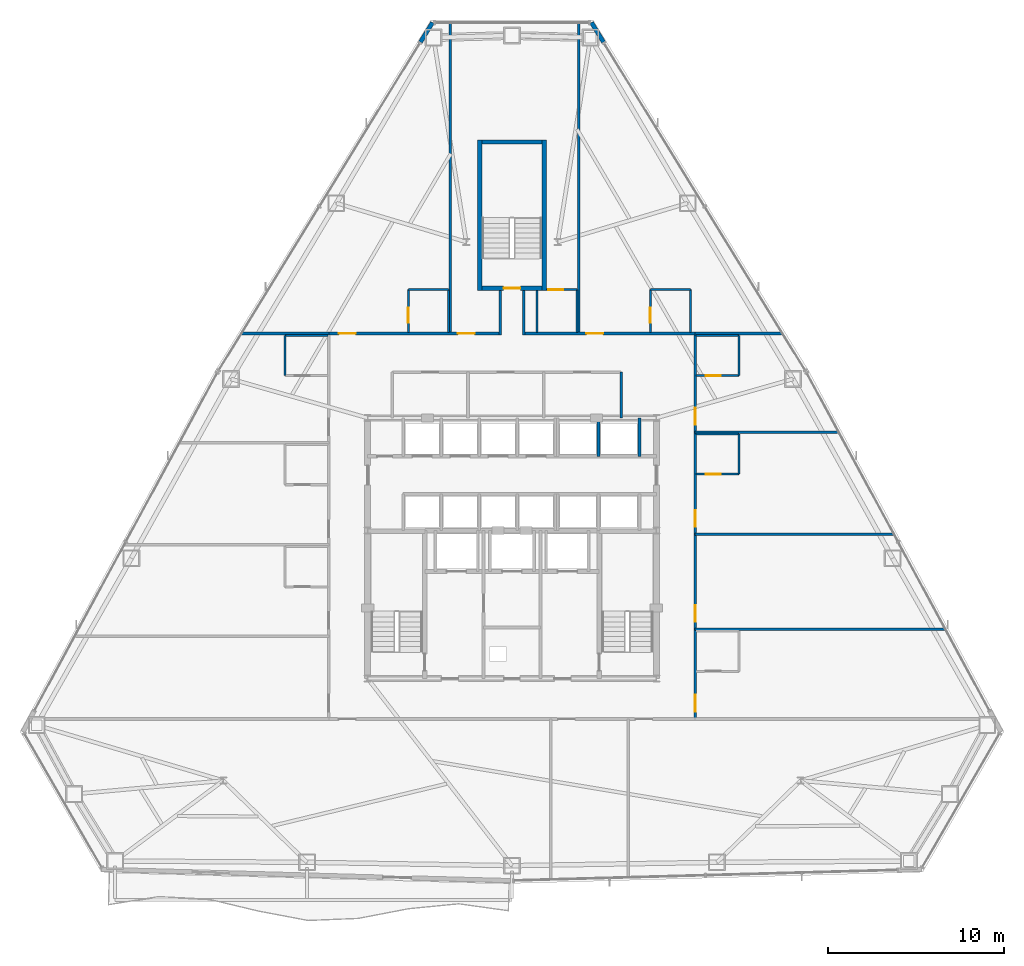
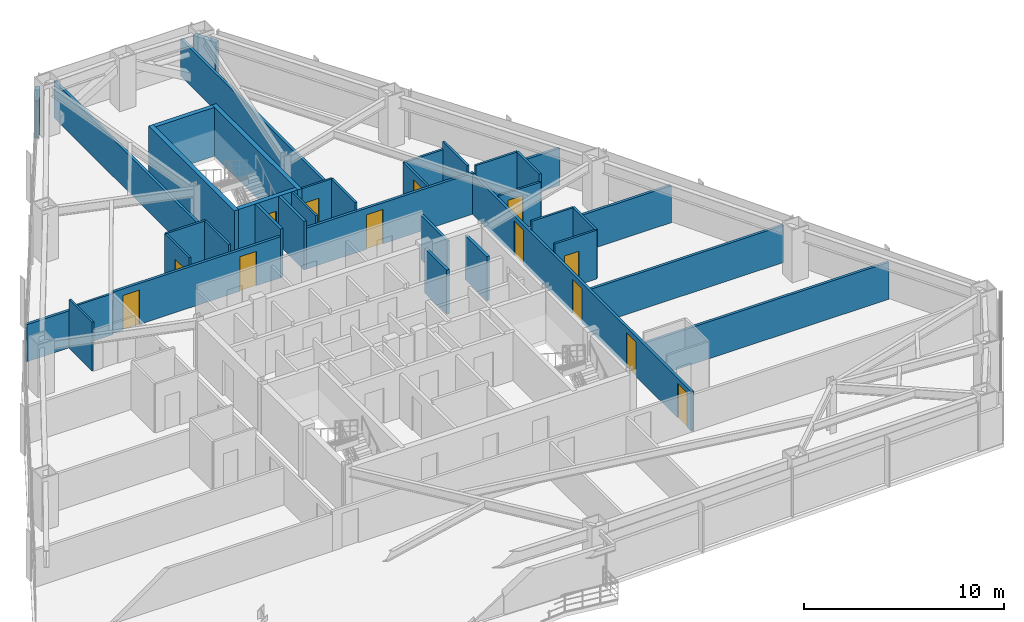
# One storey, part 11 of 14: 38 walls, 13 doors, 13 openings.
"""IFC4 building model written with IfcOpenShell, lengths in metres."""

from ifc_helpers import new_model, si_unit, direction, frame, frame_2d, origin, place, context, subcontext, project, spatial, rectangle, extrude, material, layer, layer_set, type_object, element, fill, save


model = new_model("IFC4")

# Units and contexts
model_context = context("Model", 3, precision=1e-05, world=origin(), true_north=direction((0.0, 1.0)))
body_context = subcontext(model_context, "Body", "Model", "MODEL_VIEW")
ifc_project = project(units=[si_unit("LENGTHUNIT", "METRE"), si_unit("AREAUNIT", "SQUARE_METRE"), si_unit("VOLUMEUNIT", "CUBIC_METRE"), si_unit("PLANEANGLEUNIT", "RADIAN"), si_unit("MASSUNIT", "GRAM", prefix="KILO")], contexts=[model_context])

# Site, building, storey
site_placement = place(None, origin())
site = spatial("IfcSite", under=ifc_project, at=site_placement, CompositionType="ELEMENT")
building_placement = place(site_placement, origin())
building = spatial("IfcBuilding", under=site, at=building_placement, Name="Varakhsha Concourse Tower", CompositionType="ELEMENT")
storey_placement = place(building_placement, frame((0.0, 0.0, 105.39990234375)))
storey = spatial("IfcBuildingStorey", under=building, at=storey_placement, Name="L30", CompositionType="ELEMENT", Elevation=105.39990234375)

# Walls
ifc_material_1 = material(Name="Concrete fc 45 MPa", Category="concrete")
ifc_layer_1 = layer(ifc_material_1, 0.239990234375, Name="WL-EXT-CRN-240")
ifc_layer_set_1 = layer_set([ifc_layer_1], Name="Concrete fc 45 MPa")
wall_type_1 = type_object("IfcWallType", Name="WL-EXT-CRN-240", PredefinedType="SHEAR", material=ifc_layer_set_1)
for number, where, z_axis, x_axis, name in (
    (1, (35.484375, 53.66259765625, 0.0), (0.0, 0.0, 1.0), (-0.523671203533, -0.851920460248, 0.0), "L30 Wind-Corner Shoulder Wall F2"),
    (2, (45.201904296875, 52.546142578125, 0.0), (0.0, 0.0, 1.0), (-0.523671203533, 0.851920460248, 0.0), "L30 Wind-Corner Shoulder Wall F9"),
):
    element("IfcWall", number, at=place(storey_placement, frame(where, z_axis=z_axis, x_axis=x_axis)), inside=storey, type_object=wall_type_1, Name=name, PredefinedType="SHEAR", context=body_context, shape_type="SweptSolid", body=[
        extrude(rectangle(XDim=1.310546875, YDim=0.239990234375, at=frame_2d((0.6552734375, 0.0))), origin(), (0.0, 0.0, 1.0), 2.253173828125),
    ])
ifc_material_2 = material(Name="Acoustic Gypsum Board Partition Assembly", Category="gypsum")
ifc_layer_2 = layer(ifc_material_2, 0.1201171875, Name="WL-PART-120")
ifc_layer_set_2 = layer_set([ifc_layer_2], Name="Acoustic Gypsum Board Partition Assembly")
wall_type_2 = type_object("IfcWallType", Name="WL-PART-120", PredefinedType="PARTITIONING", material=ifc_layer_set_2)
wall_1_placement = place(storey_placement, frame((27.110107421875, 33.610107421875, 0.0), z_axis=(0.0, 0.0, 1.0), x_axis=(0.0, 1.0, 0.0)))
element("IfcWall", 3, at=wall_1_placement, inside=storey, type_object=wall_type_2, Name="L30 Wall ENSW-W-L30-H07", PredefinedType="PARTITIONING", context=body_context, shape_type="SweptSolid", body=[
    extrude(rectangle(XDim=2.27978515625, YDim=0.1201171875, at=frame_2d((1.139892578125, 0.0))), origin(), (0.0, 0.0, 1.0), 2.97021484375),
])
wall_2_placement = place(storey_placement, frame((27.110107421875, 35.889892578125, 0.0), z_axis=(0.0, 0.0, 1.0), x_axis=(1.0, 0.0, 0.0)))
element("IfcWall", 4, at=wall_2_placement, inside=storey, type_object=wall_type_2, Name="L30 Wall ENSW-N-L30-H07", PredefinedType="PARTITIONING", context=body_context, shape_type="SweptSolid", body=[
    extrude(rectangle(XDim=2.429931640625, YDim=0.1201171875, at=frame_2d((1.21484375, 0.0))), origin(), (0.0, 0.0, 1.0), 2.503173828125),
])
wall_3_placement = place(storey_placement, frame((52.889892578125, 28.010009765625, 0.0), z_axis=(0.0, 0.0, 1.0), x_axis=(0.0, 1.0, 0.0)))
element("IfcWall", 5, at=wall_3_placement, inside=storey, type_object=wall_type_2, Name="L30 Wall ENSW-E-L30-H10", PredefinedType="PARTITIONING", context=body_context, shape_type="SweptSolid", body=[
    extrude(rectangle(XDim=2.280029296875, YDim=0.1201171875, at=frame_2d((1.14013671875, 0.0))), origin(), (0.0, 0.0, 1.0), 2.97021484375),
])

# Wall, opening, door
wall_4_placement = place(storey_placement, frame((50.4599609375, 28.010009765625, 0.0), z_axis=(0.0, 0.0, 1.0), x_axis=(1.0, 0.0, 0.0)))
wall_4 = element("IfcWall", 6, at=wall_4_placement, inside=storey, type_object=wall_type_2, Name="L30 Wall ENSW-S-L30-H10", PredefinedType="PARTITIONING", context=body_context, shape_type="SweptSolid", body=[
    extrude(rectangle(XDim=2.429931640625, YDim=0.1201171875, at=frame_2d((1.21484375, 0.0))), origin(), (0.0, 0.0, 1.0), 2.97021484375),
])
opening_1_placement = place(wall_4_placement, frame((0.550048828125, 0.0, 0.0)))
opening_1 = element("IfcOpeningElement", 7, at=opening_1_placement, cuts=wall_4, Name="Opening DI-01", PredefinedType="OPENING", context=body_context, shape_type="SweptSolid", body=[
    extrude(rectangle(XDim=0.85009765625, YDim=2.050048828125, at=frame_2d((0.425048828125, 1.02490234375))), frame((0.0, 0.070068359375, 0.0), z_axis=(0.0, -1.0, 0.0), x_axis=(1.0, 0.0, 0.0)), (0.0, 0.0, 1.0), 0.14013671875),
])
ifc_material_3 = material(Name="Architectural Walnut Acoustic Timber Door", Category="wood")
door_type_1 = type_object("IfcDoorType", Name="DR-INT-850", OperationType="NOTDEFINED", PredefinedType="DOOR", material=ifc_material_3)
door_1_placement = place(opening_1_placement, origin())
door_1 = element("IfcDoor", 8, at=door_1_placement, inside=storey, type_object=door_type_1, Name="L30 En-suite Bathroom Door L30-H10", OperationType="SINGLE_SWING_RIGHT", OverallHeight=2.050048828125, OverallWidth=0.85009765625, PredefinedType="DOOR", context=body_context, shape_type="SweptSolid", body=[
    extrude(rectangle(XDim=0.85009765625, YDim=2.050048828125, at=frame_2d((0.425048828125, 1.02490234375))), frame((0.0, 0.02490234375, 0.0), z_axis=(0.0, -1.0, 0.0), x_axis=(1.0, 0.0, 0.0)), (0.0, 0.0, 1.0), 0.050048828125),
])
fill(opening_1, door_1)

# Walls
wall_5_placement = place(storey_placement, frame((50.4599609375, 30.2900390625, 0.0), z_axis=(0.0, 0.0, 1.0), x_axis=(1.0, 0.0, 0.0)))
element("IfcWall", 9, at=wall_5_placement, inside=storey, type_object=wall_type_2, Name="L30 Wall ENSW-N-L30-H10", PredefinedType="PARTITIONING", context=body_context, shape_type="SweptSolid", body=[
    extrude(rectangle(XDim=2.429931640625, YDim=0.1201171875, at=frame_2d((1.21484375, 0.0))), origin(), (0.0, 0.0, 1.0), 2.97021484375),
])
wall_6_placement = place(storey_placement, frame((52.889892578125, 33.610107421875, 0.0), z_axis=(0.0, 0.0, 1.0), x_axis=(0.0, 1.0, 0.0)))
element("IfcWall", 10, at=wall_6_placement, inside=storey, type_object=wall_type_2, Name="L30 Wall ENSW-E-L30-H11", PredefinedType="PARTITIONING", context=body_context, shape_type="SweptSolid", body=[
    extrude(rectangle(XDim=2.27978515625, YDim=0.1201171875, at=frame_2d((1.139892578125, 0.0))), origin(), (0.0, 0.0, 1.0), 2.97021484375),
])

# Wall, opening, door
wall_7_placement = place(storey_placement, frame((50.4599609375, 33.610107421875, 0.0), z_axis=(0.0, 0.0, 1.0), x_axis=(1.0, 0.0, 0.0)))
wall_7 = element("IfcWall", 11, at=wall_7_placement, inside=storey, type_object=wall_type_2, Name="L30 Wall ENSW-S-L30-H11", PredefinedType="PARTITIONING", context=body_context, shape_type="SweptSolid", body=[
    extrude(rectangle(XDim=2.429931640625, YDim=0.1201171875, at=frame_2d((1.21484375, 0.0))), origin(), (0.0, 0.0, 1.0), 2.503173828125),
])
opening_2_placement = place(wall_7_placement, frame((0.550048828125, 0.0, 0.0)))
opening_2 = element("IfcOpeningElement", 12, at=opening_2_placement, cuts=wall_7, Name="Opening DI-01", PredefinedType="OPENING", context=body_context, shape_type="SweptSolid", body=[
    extrude(rectangle(XDim=0.85009765625, YDim=2.050048828125, at=frame_2d((0.425048828125, 1.02490234375))), frame((0.0, 0.070068359375, 0.0), z_axis=(0.0, -1.0, 0.0), x_axis=(1.0, 0.0, 0.0)), (0.0, 0.0, 1.0), 0.14013671875),
])
door_2_placement = place(opening_2_placement, origin())
door_2 = element("IfcDoor", 13, at=door_2_placement, inside=storey, type_object=door_type_1, Name="L30 En-suite Bathroom Door L30-H11", OperationType="SINGLE_SWING_RIGHT", OverallHeight=2.050048828125, OverallWidth=0.85009765625, PredefinedType="DOOR", context=body_context, shape_type="SweptSolid", body=[
    extrude(rectangle(XDim=0.85009765625, YDim=2.050048828125, at=frame_2d((0.425048828125, 1.02490234375))), frame((0.0, 0.02490234375, 0.0), z_axis=(0.0, -1.0, 0.0), x_axis=(1.0, 0.0, 0.0)), (0.0, 0.0, 1.0), 0.050048828125),
])
fill(opening_2, door_2)

# Wall
wall_8_placement = place(storey_placement, frame((50.4599609375, 35.889892578125, 0.0), z_axis=(0.0, 0.0, 1.0), x_axis=(1.0, 0.0, 0.0)))
element("IfcWall", 14, at=wall_8_placement, inside=storey, type_object=wall_type_2, Name="L30 Wall ENSW-N-L30-H11", PredefinedType="PARTITIONING", context=body_context, shape_type="SweptSolid", body=[
    extrude(rectangle(XDim=2.429931640625, YDim=0.1201171875, at=frame_2d((1.21484375, 0.0))), origin(), (0.0, 0.0, 1.0), 2.97021484375),
])

# Wall, opening, door
wall_9_placement = place(storey_placement, frame((34.110107421875, 36.06005859375, 0.0), z_axis=(0.0, 0.0, 1.0), x_axis=(0.0, 1.0, 0.0)))
wall_9 = element("IfcWall", 15, at=wall_9_placement, inside=storey, type_object=wall_type_2, Name="L30 Wall ENSW-W-L30-H12", PredefinedType="PARTITIONING", context=body_context, shape_type="SweptSolid", body=[
    extrude(rectangle(XDim=2.429931640625, YDim=0.1201171875, at=frame_2d((1.21484375, 0.0))), origin(), (0.0, 0.0, 1.0), 2.97021484375),
])
opening_3_placement = place(wall_9_placement, frame((0.550048828125, 0.0, 0.0)))
opening_3 = element("IfcOpeningElement", 16, at=opening_3_placement, cuts=wall_9, Name="Opening DI-01", PredefinedType="OPENING", context=body_context, shape_type="SweptSolid", body=[
    extrude(rectangle(XDim=0.85009765625, YDim=2.050048828125, at=frame_2d((0.425048828125, 1.02490234375))), frame((0.0, 0.070068359375, 0.0), z_axis=(0.0, -1.0, 0.0), x_axis=(1.0, 0.0, 0.0)), (0.0, 0.0, 1.0), 0.14013671875),
])
door_3_placement = place(opening_3_placement, origin())
door_3 = element("IfcDoor", 17, at=door_3_placement, inside=storey, type_object=door_type_1, Name="L30 En-suite Bathroom Door L30-H12", OperationType="SINGLE_SWING_RIGHT", OverallHeight=2.050048828125, OverallWidth=0.85009765625, PredefinedType="DOOR", context=body_context, shape_type="SweptSolid", body=[
    extrude(rectangle(XDim=0.85009765625, YDim=2.050048828125, at=frame_2d((0.425048828125, 1.02490234375))), frame((0.0, 0.02490234375, 0.0), z_axis=(0.0, -1.0, 0.0), x_axis=(1.0, 0.0, 0.0)), (0.0, 0.0, 1.0), 0.050048828125),
])
fill(opening_3, door_3)

# Walls
wall_10_placement = place(storey_placement, frame((36.389892578125, 36.06005859375, 0.0), z_axis=(0.0, 0.0, 1.0), x_axis=(0.0, 1.0, 0.0)))
element("IfcWall", 18, at=wall_10_placement, inside=storey, type_object=wall_type_2, Name="L30 Wall ENSW-E-L30-H12", PredefinedType="PARTITIONING", context=body_context, shape_type="SweptSolid", body=[
    extrude(rectangle(XDim=2.429931640625, YDim=0.1201171875, at=frame_2d((1.21484375, 0.0))), origin(), (0.0, 0.0, 1.0), 2.97021484375),
])
wall_11_placement = place(storey_placement, frame((34.110107421875, 38.489990234375, 0.0), z_axis=(0.0, 0.0, 1.0), x_axis=(1.0, 0.0, 0.0)))
element("IfcWall", 19, at=wall_11_placement, inside=storey, type_object=wall_type_2, Name="L30 Wall ENSW-N-L30-H12", PredefinedType="PARTITIONING", context=body_context, shape_type="SweptSolid", body=[
    extrude(rectangle(XDim=2.27978515625, YDim=0.1201171875, at=frame_2d((1.139892578125, 0.0))), origin(), (0.0, 0.0, 1.0), 2.97021484375),
])
wall_12_placement = place(storey_placement, frame((41.409912109375, 36.06005859375, 0.0), z_axis=(0.0, 0.0, 1.0), x_axis=(0.0, 1.0, 0.0)))
element("IfcWall", 20, at=wall_12_placement, inside=storey, type_object=wall_type_2, Name="L30 Wall ENSW-W-L30-H13", PredefinedType="PARTITIONING", context=body_context, shape_type="SweptSolid", body=[
    extrude(rectangle(XDim=2.389892578125, YDim=0.1201171875, at=frame_2d((1.19482421875, 0.0))), origin(), (0.0, 0.0, 1.0), 2.97021484375),
])
wall_13_placement = place(storey_placement, frame((43.68994140625, 36.06005859375, 0.0), z_axis=(0.0, 0.0, 1.0), x_axis=(0.0, 1.0, 0.0)))
element("IfcWall", 21, at=wall_13_placement, inside=storey, type_object=wall_type_2, Name="L30 Wall ENSW-E-L30-H13", PredefinedType="PARTITIONING", context=body_context, shape_type="SweptSolid", body=[
    extrude(rectangle(XDim=2.429931640625, YDim=0.1201171875, at=frame_2d((1.21484375, 0.0))), origin(), (0.0, 0.0, 1.0), 2.97021484375),
])

# Wall, opening, door
wall_14_placement = place(storey_placement, frame((41.949951171875, 38.489990234375, 0.0), z_axis=(0.0, 0.0, 1.0), x_axis=(1.0, 0.0, 0.0)))
wall_14 = element("IfcWall", 22, at=wall_14_placement, inside=storey, type_object=wall_type_2, Name="L30 Wall ENSW-N-L30-H13", PredefinedType="PARTITIONING", context=body_context, shape_type="SweptSolid", body=[
    extrude(rectangle(XDim=1.739990234375, YDim=0.1201171875, at=frame_2d((0.8701171875, 0.0))), origin(), (0.0, 0.0, 1.0), 2.97021484375),
])
opening_4_placement = place(wall_14_placement, frame((0.1201171875, 0.0, 0.0)))
opening_4 = element("IfcOpeningElement", 23, at=opening_4_placement, cuts=wall_14, Name="Opening DI-01", PredefinedType="OPENING", context=body_context, shape_type="SweptSolid", body=[
    extrude(rectangle(XDim=0.85009765625, YDim=2.050048828125, at=frame_2d((0.425048828125, 1.02490234375))), frame((0.0, 0.070068359375, 0.0), z_axis=(0.0, -1.0, 0.0), x_axis=(1.0, 0.0, 0.0)), (0.0, 0.0, 1.0), 0.14013671875),
])
door_4_placement = place(opening_4_placement, origin())
door_4 = element("IfcDoor", 24, at=door_4_placement, inside=storey, type_object=door_type_1, Name="L30 En-suite Bathroom Door L30-H13", OperationType="SINGLE_SWING_RIGHT", OverallHeight=2.050048828125, OverallWidth=0.85009765625, PredefinedType="DOOR", context=body_context, shape_type="SweptSolid", body=[
    extrude(rectangle(XDim=0.85009765625, YDim=2.050048828125, at=frame_2d((0.425048828125, 1.02490234375))), frame((0.0, 0.02490234375, 0.0), z_axis=(0.0, -1.0, 0.0), x_axis=(1.0, 0.0, 0.0)), (0.0, 0.0, 1.0), 0.050048828125),
])
fill(opening_4, door_4)

wall_15_placement = place(storey_placement, frame((47.860107421875, 36.06005859375, 0.0), z_axis=(0.0, 0.0, 1.0), x_axis=(0.0, 1.0, 0.0)))
wall_15 = element("IfcWall", 25, at=wall_15_placement, inside=storey, type_object=wall_type_2, Name="L30 Wall ENSW-W-L30-H14", PredefinedType="PARTITIONING", context=body_context, shape_type="SweptSolid", body=[
    extrude(rectangle(XDim=2.429931640625, YDim=0.1201171875, at=frame_2d((1.21484375, 0.0))), origin(), (0.0, 0.0, 1.0), 2.503173828125),
])
opening_5_placement = place(wall_15_placement, frame((0.550048828125, 0.0, 0.0)))
opening_5 = element("IfcOpeningElement", 26, at=opening_5_placement, cuts=wall_15, Name="Opening DI-01", PredefinedType="OPENING", context=body_context, shape_type="SweptSolid", body=[
    extrude(rectangle(XDim=0.85009765625, YDim=2.050048828125, at=frame_2d((0.425048828125, 1.02490234375))), frame((0.0, 0.070068359375, 0.0), z_axis=(0.0, -1.0, 0.0), x_axis=(1.0, 0.0, 0.0)), (0.0, 0.0, 1.0), 0.14013671875),
])
door_5_placement = place(opening_5_placement, origin())
door_5 = element("IfcDoor", 27, at=door_5_placement, inside=storey, type_object=door_type_1, Name="L30 En-suite Bathroom Door L30-H14", OperationType="SINGLE_SWING_RIGHT", OverallHeight=2.050048828125, OverallWidth=0.85009765625, PredefinedType="DOOR", context=body_context, shape_type="SweptSolid", body=[
    extrude(rectangle(XDim=0.85009765625, YDim=2.050048828125, at=frame_2d((0.425048828125, 1.02490234375))), frame((0.0, 0.02490234375, 0.0), z_axis=(0.0, -1.0, 0.0), x_axis=(1.0, 0.0, 0.0)), (0.0, 0.0, 1.0), 0.050048828125),
])
fill(opening_5, door_5)

# Walls
wall_16_placement = place(storey_placement, frame((50.139892578125, 36.06005859375, 0.0), z_axis=(0.0, 0.0, 1.0), x_axis=(0.0, 1.0, 0.0)))
element("IfcWall", 28, at=wall_16_placement, inside=storey, type_object=wall_type_2, Name="L30 Wall ENSW-E-L30-H14", PredefinedType="PARTITIONING", context=body_context, shape_type="SweptSolid", body=[
    extrude(rectangle(XDim=2.429931640625, YDim=0.1201171875, at=frame_2d((1.21484375, 0.0))), origin(), (0.0, 0.0, 1.0), 2.97021484375),
])
wall_17_placement = place(storey_placement, frame((47.860107421875, 38.489990234375, 0.0), z_axis=(0.0, 0.0, 1.0), x_axis=(1.0, 0.0, 0.0)))
element("IfcWall", 29, at=wall_17_placement, inside=storey, type_object=wall_type_2, Name="L30 Wall ENSW-N-L30-H14", PredefinedType="PARTITIONING", context=body_context, shape_type="SweptSolid", body=[
    extrude(rectangle(XDim=2.27978515625, YDim=0.1201171875, at=frame_2d((1.139892578125, 0.0))), origin(), (0.0, 0.0, 1.0), 2.503173828125),
])
ifc_material_4 = material(Name="Fire-Rated Type X Gypsum Partition Assembly", Category="gypsum")
ifc_layer_3 = layer(ifc_material_4, 0.14990234375, Name="WL-PART-150")
ifc_layer_set_3 = layer_set([ifc_layer_3], Name="Fire-Rated Type X Gypsum Partition Assembly")
wall_type_3 = type_object("IfcWallType", Name="WL-PART-150", PredefinedType="PARTITIONING", material=ifc_layer_set_3)
wall_18_placement = place(storey_placement, frame((46.199951171875, 31.199951171875, 0.0), z_axis=(0.0, 0.0, 1.0), x_axis=(0.0, 1.0, 0.0)))
element("IfcWall", 30, at=wall_18_placement, inside=storey, type_object=wall_type_3, Name="L30 Wall NBOH-E-L30", PredefinedType="PARTITIONING", context=body_context, shape_type="SweptSolid", body=[
    extrude(rectangle(XDim=2.60009765625, YDim=0.14990234375, at=frame_2d((1.300048828125, 0.0))), origin(), (0.0, 0.0, 1.0), 2.697998046875),
])

# Wall, openings, doors
wall_19_placement = place(storey_placement, frame((29.60009765625, 36.0, 0.0), z_axis=(0.0, 0.0, 1.0), x_axis=(1.0, 0.0, 0.0)))
wall_19 = element("IfcWall", 31, at=wall_19_placement, inside=storey, type_object=wall_type_3, Name="L30 Wall CRW-N-L30", PredefinedType="PARTITIONING", context=body_context, shape_type="SweptSolid", body=[
    extrude(rectangle(XDim=9.64990234375, YDim=0.14990234375, at=frame_2d((4.824951171875, 0.0))), origin(), (0.0, 0.0, 1.0), 2.503173828125),
])
opening_6_placement = place(wall_19_placement, frame((0.570068359375, 0.0, 0.0)))
opening_6 = element("IfcOpeningElement", 32, at=opening_6_placement, cuts=wall_19, Name="Opening DF-05", PredefinedType="OPENING", context=body_context, shape_type="SweptSolid", body=[
    extrude(rectangle(XDim=0.949951171875, YDim=2.10009765625, at=frame_2d((0.47509765625, 1.050048828125))), frame((0.0, 0.0849609375, 0.0), z_axis=(0.0, -1.0, 0.0), x_axis=(1.0, 0.0, 0.0)), (0.0, 0.0, 1.0), 0.169921875),
])
opening_7_placement = place(wall_19_placement, frame((7.320068359375, 0.0, 0.0)))
opening_7 = element("IfcOpeningElement", 33, at=opening_7_placement, cuts=wall_19, Name="Opening DF-05", PredefinedType="OPENING", context=body_context, shape_type="SweptSolid", body=[
    extrude(rectangle(XDim=0.949951171875, YDim=2.10009765625, at=frame_2d((0.47509765625, 1.050048828125))), frame((0.0, 0.0849609375, 0.0), z_axis=(0.0, -1.0, 0.0), x_axis=(1.0, 0.0, 0.0)), (0.0, 0.0, 1.0), 0.169921875),
])
ifc_material_5 = material(Name="Hollow Galvanised Steel Fire Door Assembly", Category="steel")
door_type_2 = type_object("IfcDoorType", Name="DR-FD60-950", OperationType="NOTDEFINED", PredefinedType="DOOR", material=ifc_material_5)
door_6_placement = place(opening_6_placement, origin())
door_6 = element("IfcDoor", 34, at=door_6_placement, inside=storey, type_object=door_type_2, Name="L30 Hotel Corner Suite L30-H12 Entry Door", OperationType="SINGLE_SWING_RIGHT", OverallHeight=2.10009765625, OverallWidth=0.949951171875, PredefinedType="DOOR", context=body_context, shape_type="SweptSolid", body=[
    extrude(rectangle(XDim=0.949951171875, YDim=2.10009765625, at=frame_2d((0.47509765625, 1.050048828125))), frame((0.0, 0.02490234375, 0.0), z_axis=(0.0, -1.0, 0.0), x_axis=(1.0, 0.0, 0.0)), (0.0, 0.0, 1.0), 0.050048828125),
])
fill(opening_6, door_6)
door_7_placement = place(opening_7_placement, origin())
door_7 = element("IfcDoor", 35, at=door_7_placement, inside=storey, type_object=door_type_2, Name="L30 Hotel Corner Suite L30-H13 Entry Door", OperationType="SINGLE_SWING_LEFT", OverallHeight=2.10009765625, OverallWidth=0.949951171875, PredefinedType="DOOR", context=body_context, shape_type="SweptSolid", body=[
    extrude(rectangle(XDim=0.949951171875, YDim=2.10009765625, at=frame_2d((0.47509765625, 1.050048828125))), frame((0.0, 0.02490234375, 0.0), z_axis=(0.0, -1.0, 0.0), x_axis=(1.0, 0.0, 0.0)), (0.0, 0.0, 1.0), 0.050048828125),
])
fill(opening_7, door_7)

# Wall, opening, door
wall_20_placement = place(storey_placement, frame((40.75, 36.0, 0.0), z_axis=(0.0, 0.0, 1.0), x_axis=(1.0, 0.0, 0.0)))
wall_20 = element("IfcWall", 36, at=wall_20_placement, inside=storey, type_object=wall_type_3, Name="L30 Wall CRW-N-L30-B", PredefinedType="PARTITIONING", context=body_context, shape_type="SweptSolid", body=[
    extrude(rectangle(XDim=9.64990234375, YDim=0.14990234375, at=frame_2d((4.824951171875, 0.0))), origin(), (0.0, 0.0, 1.0), 2.503173828125),
])
opening_8_placement = place(wall_20_placement, frame((3.469970703125, 0.0, 0.0)))
opening_8 = element("IfcOpeningElement", 37, at=opening_8_placement, cuts=wall_20, Name="Opening DF-05", PredefinedType="OPENING", context=body_context, shape_type="SweptSolid", body=[
    extrude(rectangle(XDim=0.949951171875, YDim=2.10009765625, at=frame_2d((0.47509765625, 1.050048828125))), frame((0.0, 0.0849609375, 0.0), z_axis=(0.0, -1.0, 0.0), x_axis=(1.0, 0.0, 0.0)), (0.0, 0.0, 1.0), 0.169921875),
])
door_8_placement = place(opening_8_placement, origin())
door_8 = element("IfcDoor", 38, at=door_8_placement, inside=storey, type_object=door_type_2, Name="L30 Hotel Corner Suite L30-H14 Entry Door", OperationType="SINGLE_SWING_RIGHT", OverallHeight=2.10009765625, OverallWidth=0.949951171875, PredefinedType="DOOR", context=body_context, shape_type="SweptSolid", body=[
    extrude(rectangle(XDim=0.949951171875, YDim=2.10009765625, at=frame_2d((0.47509765625, 1.050048828125))), frame((0.0, 0.02490234375, 0.0), z_axis=(0.0, -1.0, 0.0), x_axis=(1.0, 0.0, 0.0)), (0.0, 0.0, 1.0), 0.050048828125),
])
fill(opening_8, door_8)

# Wall, openings, doors
wall_21_placement = place(storey_placement, frame((50.39990234375, 14.10009765625, 0.0), z_axis=(0.0, 0.0, 1.0), x_axis=(0.0, 1.0, 0.0)))
wall_21 = element("IfcWall", 39, at=wall_21_placement, inside=storey, type_object=wall_type_3, Name="L30 Wall CRW-E-L30", PredefinedType="PARTITIONING", context=body_context, shape_type="SweptSolid", body=[
    extrude(rectangle(XDim=21.89990234375, YDim=0.14990234375, at=frame_2d((10.949951171875, 0.0))), origin(), (0.0, 0.0, 1.0), 2.421142578125),
])
opening_9_placement = place(wall_21_placement, frame((0.419921875, 0.0, 0.0)))
opening_9 = element("IfcOpeningElement", 40, at=opening_9_placement, cuts=wall_21, Name="Opening DF-05", PredefinedType="OPENING", context=body_context, shape_type="SweptSolid", body=[
    extrude(rectangle(XDim=0.949951171875, YDim=2.10009765625, at=frame_2d((0.47509765625, 1.050048828125))), frame((0.0, 0.0849609375, 0.0), z_axis=(0.0, -1.0, 0.0), x_axis=(1.0, 0.0, 0.0)), (0.0, 0.0, 1.0), 0.169921875),
])
opening_10_placement = place(wall_21_placement, frame((5.52001953125, 0.0, 0.0)))
opening_10 = element("IfcOpeningElement", 41, at=opening_10_placement, cuts=wall_21, Name="Opening DF-05", PredefinedType="OPENING", context=body_context, shape_type="SweptSolid", body=[
    extrude(rectangle(XDim=0.949951171875, YDim=2.10009765625, at=frame_2d((0.47509765625, 1.050048828125))), frame((0.0, 0.0849609375, 0.0), z_axis=(0.0, -1.0, 0.0), x_axis=(1.0, 0.0, 0.0)), (0.0, 0.0, 1.0), 0.169921875),
])
opening_11_placement = place(wall_21_placement, frame((10.919921875, 0.0, 0.0)))
opening_11 = element("IfcOpeningElement", 42, at=opening_11_placement, cuts=wall_21, Name="Opening DF-05", PredefinedType="OPENING", context=body_context, shape_type="SweptSolid", body=[
    extrude(rectangle(XDim=0.949951171875, YDim=2.10009765625, at=frame_2d((0.47509765625, 1.050048828125))), frame((0.0, 0.0849609375, 0.0), z_axis=(0.0, -1.0, 0.0), x_axis=(1.0, 0.0, 0.0)), (0.0, 0.0, 1.0), 0.169921875),
])
opening_12_placement = place(wall_21_placement, frame((16.719970703125, 0.0, 0.0)))
opening_12 = element("IfcOpeningElement", 43, at=opening_12_placement, cuts=wall_21, Name="Opening DF-05", PredefinedType="OPENING", context=body_context, shape_type="SweptSolid", body=[
    extrude(rectangle(XDim=0.949951171875, YDim=2.10009765625, at=frame_2d((0.47509765625, 1.050048828125))), frame((0.0, 0.0849609375, 0.0), z_axis=(0.0, -1.0, 0.0), x_axis=(1.0, 0.0, 0.0)), (0.0, 0.0, 1.0), 0.169921875),
])
door_9_placement = place(opening_9_placement, origin())
door_9 = element("IfcDoor", 44, at=door_9_placement, inside=storey, type_object=door_type_2, Name="L30 Hotel Corner Suite L30-H08 Entry Door", OperationType="SINGLE_SWING_RIGHT", OverallHeight=2.10009765625, OverallWidth=0.949951171875, PredefinedType="DOOR", context=body_context, shape_type="SweptSolid", body=[
    extrude(rectangle(XDim=0.949951171875, YDim=2.10009765625, at=frame_2d((0.47509765625, 1.050048828125))), frame((0.0, 0.02490234375, 0.0), z_axis=(0.0, -1.0, 0.0), x_axis=(1.0, 0.0, 0.0)), (0.0, 0.0, 1.0), 0.050048828125),
])
fill(opening_9, door_9)
door_10_placement = place(opening_10_placement, origin())
door_10 = element("IfcDoor", 45, at=door_10_placement, inside=storey, type_object=door_type_2, Name="L30 Sky-Loggia Reading Lounge L30-H09 Door", OperationType="SINGLE_SWING_LEFT", OverallHeight=2.10009765625, OverallWidth=0.949951171875, PredefinedType="DOOR", context=body_context, shape_type="SweptSolid", body=[
    extrude(rectangle(XDim=0.949951171875, YDim=2.10009765625, at=frame_2d((0.47509765625, 1.050048828125))), frame((0.0, 0.02490234375, 0.0), z_axis=(0.0, -1.0, 0.0), x_axis=(1.0, 0.0, 0.0)), (0.0, 0.0, 1.0), 0.050048828125),
])
fill(opening_10, door_10)
door_11_placement = place(opening_11_placement, origin())
door_11 = element("IfcDoor", 46, at=door_11_placement, inside=storey, type_object=door_type_2, Name="L30 Hotel Corner Suite L30-H10 Entry Door", OperationType="SINGLE_SWING_RIGHT", OverallHeight=2.10009765625, OverallWidth=0.949951171875, PredefinedType="DOOR", context=body_context, shape_type="SweptSolid", body=[
    extrude(rectangle(XDim=0.949951171875, YDim=2.10009765625, at=frame_2d((0.47509765625, 1.050048828125))), frame((0.0, 0.02490234375, 0.0), z_axis=(0.0, -1.0, 0.0), x_axis=(1.0, 0.0, 0.0)), (0.0, 0.0, 1.0), 0.050048828125),
])
fill(opening_11, door_11)
door_12_placement = place(opening_12_placement, origin())
door_12 = element("IfcDoor", 47, at=door_12_placement, inside=storey, type_object=door_type_2, Name="L30 Hotel Guest Room L30-H11 Entry Door", OperationType="SINGLE_SWING_LEFT", OverallHeight=2.10009765625, OverallWidth=0.949951171875, PredefinedType="DOOR", context=body_context, shape_type="SweptSolid", body=[
    extrude(rectangle(XDim=0.949951171875, YDim=2.10009765625, at=frame_2d((0.47509765625, 1.050048828125))), frame((0.0, 0.02490234375, 0.0), z_axis=(0.0, -1.0, 0.0), x_axis=(1.0, 0.0, 0.0)), (0.0, 0.0, 1.0), 0.050048828125),
])
fill(opening_12, door_12)

# Walls
for number, where, z_axis, x_axis, name in (
    (48, (24.63330078125, 36.0, 0.0), (0.0, 0.0, 1.0), (1.0, 0.0, 0.0), "L30 Wall HDIV-WBN-L30"),
    (49, (50.39990234375, 36.0, 0.0), (0.0, 0.0, 1.0), (1.0, 0.0, 0.0), "L30 Wall HDIV-EBN-L30"),
):
    element("IfcWall", number, at=place(storey_placement, frame(where, z_axis=z_axis, x_axis=x_axis)), inside=storey, type_object=wall_type_3, Name=name, PredefinedType="PARTITIONING", context=body_context, shape_type="SweptSolid", body=[
        extrude(rectangle(XDim=4.966796875, YDim=0.14990234375, at=frame_2d((2.4833984375, 0.0))), origin(), (0.0, 0.0, 1.0), 2.258056640625),
    ])
wall_22_placement = place(storey_placement, frame((50.39990234375, 19.199951171875, 0.0), z_axis=(0.0, 0.0, 1.0), x_axis=(1.0, 0.0, 0.0)))
element("IfcWall", 50, at=wall_22_placement, inside=storey, type_object=wall_type_3, Name="L30 Wall HDIV-E1-L30", PredefinedType="PARTITIONING", context=body_context, shape_type="SweptSolid", body=[
    extrude(rectangle(XDim=14.2177734375, YDim=0.14990234375, at=frame_2d((7.10888671875, 0.0))), origin(), (0.0, 0.0, 1.0), 2.258056640625),
])
wall_23_placement = place(storey_placement, frame((50.39990234375, 24.60009765625, 0.0), z_axis=(0.0, 0.0, 1.0), x_axis=(1.0, 0.0, 0.0)))
element("IfcWall", 51, at=wall_23_placement, inside=storey, type_object=wall_type_3, Name="L30 Wall HDIV-E2-L30", PredefinedType="PARTITIONING", context=body_context, shape_type="SweptSolid", body=[
    extrude(rectangle(XDim=11.29541015625, YDim=0.14990234375, at=frame_2d((5.647705078125, 0.0))), origin(), (0.0, 0.0, 1.0), 2.258056640625),
])
wall_24_placement = place(storey_placement, frame((50.39990234375, 30.39990234375, 0.0), z_axis=(0.0, 0.0, 1.0), x_axis=(1.0, 0.0, 0.0)))
element("IfcWall", 52, at=wall_24_placement, inside=storey, type_object=wall_type_3, Name="L30 Wall HDIV-E3-L30", PredefinedType="PARTITIONING", context=body_context, shape_type="SweptSolid", body=[
    extrude(rectangle(XDim=8.156494140625, YDim=0.14990234375, at=frame_2d((4.078125, 0.0))), origin(), (0.0, 0.0, 1.0), 2.258056640625),
])
for number, where, z_axis, x_axis, name in (
    (53, (36.5, 36.0, 0.0), (0.0, 0.0, 1.0), (0.0, 1.0, 0.0), "L30 Wall HDIV-N1-L30"),
    (54, (43.800048828125, 36.0, 0.0), (0.0, 0.0, 1.0), (0.0, 1.0, 0.0), "L30 Wall HDIV-N2-L30"),
):
    element("IfcWall", number, at=place(storey_placement, frame(where, z_axis=z_axis, x_axis=x_axis)), inside=storey, type_object=wall_type_3, Name=name, PredefinedType="PARTITIONING", context=body_context, shape_type="SweptSolid", body=[
        extrude(rectangle(XDim=17.642822265625, YDim=0.14990234375, at=frame_2d((8.8212890625, 0.0))), origin(), (0.0, 0.0, 1.0), 2.258056640625),
    ])
for number, where, z_axis, x_axis, name in (
    (55, (39.324951171875, 35.925048828125, 0.0), (0.0, 0.0, 1.0), (0.0, 1.0, 0.0), "L30 Wall STUB-W-L30"),
    (56, (40.675048828125, 35.925048828125, 0.0), (0.0, 0.0, 1.0), (0.0, 1.0, 0.0), "L30 Wall STUB-E-L30"),
):
    element("IfcWall", number, at=place(storey_placement, frame(where, z_axis=z_axis, x_axis=x_axis)), inside=storey, type_object=wall_type_3, Name=name, PredefinedType="PARTITIONING", context=body_context, shape_type="SweptSolid", body=[
        extrude(rectangle(XDim=2.52490234375, YDim=0.14990234375, at=frame_2d((1.262451171875, 0.0))), origin(), (0.0, 0.0, 1.0), 2.97021484375),
    ])
ifc_layer_4 = layer(ifc_material_4, 0.199951171875, Name="WL-SHAFT-220")
ifc_layer_set_4 = layer_set([ifc_layer_4], Name="Fire-Rated Type X Gypsum Partition Assembly")
wall_type_4 = type_object("IfcWallType", Name="WL-SHAFT-220", PredefinedType="SOLIDWALL", material=ifc_layer_set_4)
for number, where, z_axis, x_axis, name in (
    (57, (44.919921875, 29.02001953125, 0.0), (0.0, 0.0, 1.0), (0.0, 1.0, 0.0), "L30 Wall SHW-LF-P09-E-L30"),
    (58, (47.239990234375, 29.02001953125, 0.0), (0.0, 0.0, 1.0), (0.0, 1.0, 0.0), "L30 Wall SHW-LF-P10-E-L30"),
):
    element("IfcWall", number, at=place(storey_placement, frame(where, z_axis=z_axis, x_axis=x_axis)), inside=storey, type_object=wall_type_4, Name=name, PredefinedType="SOLIDWALL", context=body_context, shape_type="SweptSolid", body=[
        extrude(rectangle(XDim=2.179931640625, YDim=0.159912109375, at=frame_2d((1.08984375, 0.0))), origin(), (0.0, 0.0, 1.0), 2.697998046875),
    ])
ifc_layer_5 = layer(ifc_material_1, 0.25, Name="WL-STAIR-250")
ifc_layer_set_5 = layer_set([ifc_layer_5], Name="Concrete fc 45 MPa")
wall_type_5 = type_object("IfcWallType", Name="WL-STAIR-250", PredefinedType="SHEAR", material=ifc_layer_set_5)
for number, where, z_axis, x_axis, name in (
    (59, (38.175048828125, 38.449951171875, 0.0), (0.0, 0.0, 1.0), (0.0, 1.0, 0.0), "L30 Wall SWALL-ST5-W-L30"),
    (60, (41.824951171875, 38.449951171875, 0.0), (0.0, 0.0, 1.0), (0.0, 1.0, 0.0), "L30 Wall SWALL-ST5-E-L30"),
):
    element("IfcWall", number, at=place(storey_placement, frame(where, z_axis=z_axis, x_axis=x_axis)), inside=storey, type_object=wall_type_5, Name=name, PredefinedType="SHEAR", context=body_context, shape_type="SweptSolid", body=[
        extrude(rectangle(XDim=8.550048828125, YDim=0.25, at=frame_2d((4.27490234375, 0.0))), origin(), (0.0, 0.0, 1.0), 2.97021484375),
    ])

# Wall, opening, door
wall_25_placement = place(storey_placement, frame((38.300048828125, 38.574951171875, 0.0), z_axis=(0.0, 0.0, 1.0), x_axis=(1.0, 0.0, 0.0)))
wall_25 = element("IfcWall", 61, at=wall_25_placement, inside=storey, type_object=wall_type_5, Name="L30 Wall SWALL-ST5-S-L30", PredefinedType="SHEAR", context=body_context, shape_type="SweptSolid", body=[
    extrude(rectangle(XDim=3.39990234375, YDim=0.25, at=frame_2d((1.699951171875, 0.0))), origin(), (0.0, 0.0, 1.0), 2.97021484375),
])
opening_13_placement = place(wall_25_placement, frame((1.22509765625, 0.0, 0.0)))
opening_13 = element("IfcOpeningElement", 62, at=opening_13_placement, cuts=wall_25, Name="Opening DF-03", PredefinedType="OPENING", context=body_context, shape_type="SweptSolid", body=[
    extrude(rectangle(XDim=0.949951171875, YDim=2.10009765625, at=frame_2d((0.47509765625, 1.050048828125))), frame((0.0, 0.135009765625, 0.0), z_axis=(0.0, -1.0, 0.0), x_axis=(1.0, 0.0, 0.0)), (0.0, 0.0, 1.0), 0.27001953125),
])
door_type_3 = type_object("IfcDoorType", Name="DR-FD90-950", OperationType="NOTDEFINED", PredefinedType="DOOR", material=ifc_material_5)
door_13_placement = place(opening_13_placement, origin())
door_13 = element("IfcDoor", 63, at=door_13_placement, inside=storey, type_object=door_type_3, Name="L30 Stair ST5 Fire Door", OperationType="SINGLE_SWING_RIGHT", OverallHeight=2.10009765625, OverallWidth=0.949951171875, PredefinedType="DOOR", context=body_context, shape_type="SweptSolid", body=[
    extrude(rectangle(XDim=0.949951171875, YDim=2.10009765625, at=frame_2d((0.47509765625, 1.050048828125))), frame((0.0, 0.02490234375, 0.0), z_axis=(0.0, -1.0, 0.0), x_axis=(1.0, 0.0, 0.0)), (0.0, 0.0, 1.0), 0.050048828125),
])
fill(opening_13, door_13)

# Wall
wall_26_placement = place(storey_placement, frame((38.300048828125, 46.875, 0.0), z_axis=(0.0, 0.0, 1.0), x_axis=(1.0, 0.0, 0.0)))
element("IfcWall", 64, at=wall_26_placement, inside=storey, type_object=wall_type_5, Name="L30 Wall SWALL-ST5-N-L30", PredefinedType="SHEAR", context=body_context, shape_type="SweptSolid", body=[
    extrude(rectangle(XDim=3.39990234375, YDim=0.25, at=frame_2d((1.699951171875, 0.0))), origin(), (0.0, 0.0, 1.0), 2.97021484375),
])

save(model, "model.ifc")
